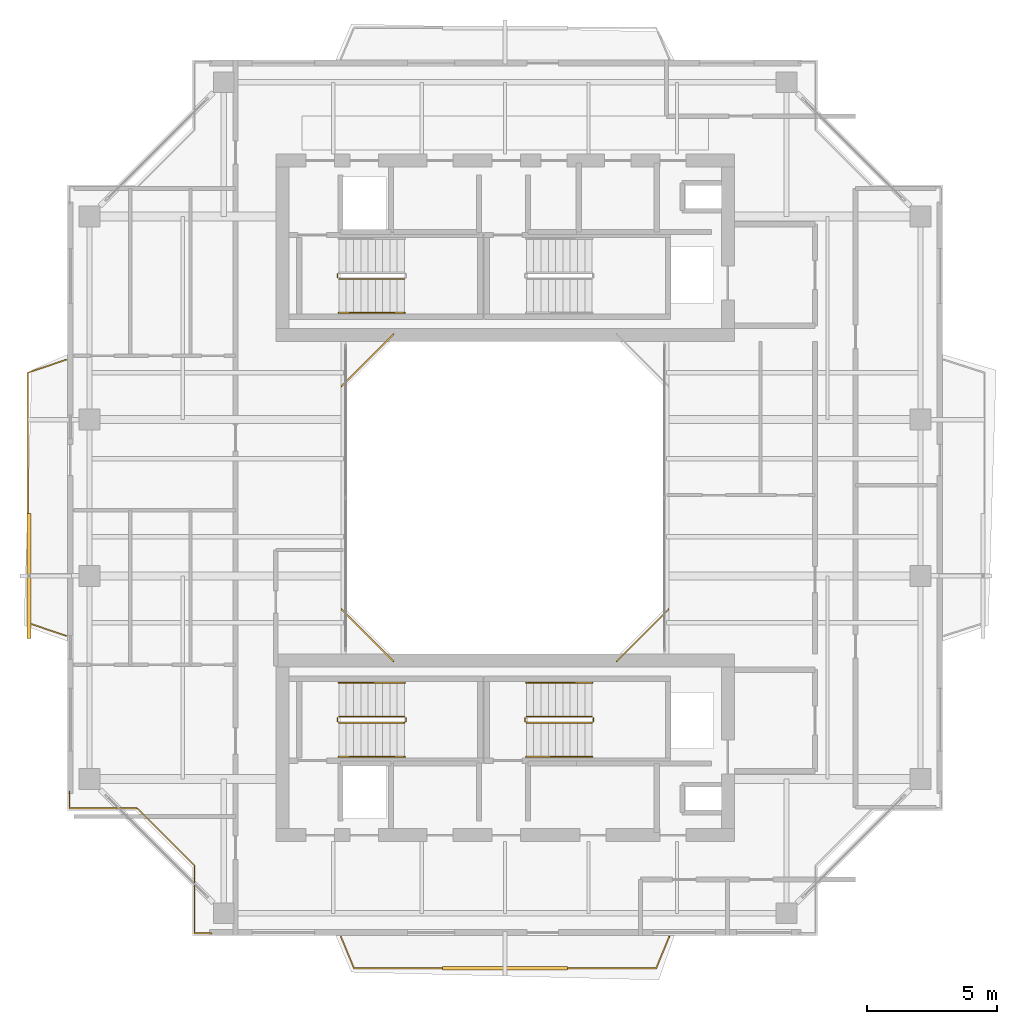
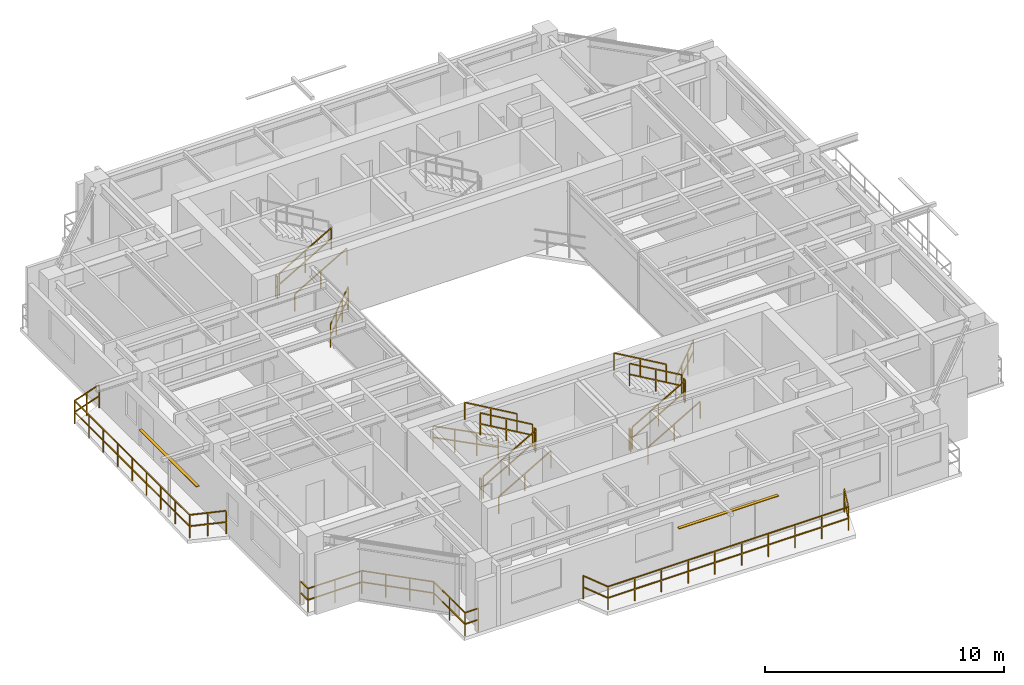
# One storey, part 14 of 16: 21 railings, 2 shading devices.
"""IFC4 building model written with IfcOpenShell, lengths in metres."""

from ifc_helpers import new_model, si_unit, direction, frame, origin, origin_2d, place, context, subcontext, project, spatial, rectangle, extrude, source, transform, mapped, material, material_profile, profile_set, type_object, element, save


model = new_model("IFC4")

# Units and contexts
model_context = context("Model", 3, precision=1e-05, world=origin(), true_north=direction((0.0, 1.0)))
body_context = subcontext(model_context, "Body", "Model", "MODEL_VIEW")
ifc_project = project(units=[si_unit("LENGTHUNIT", "METRE"), si_unit("AREAUNIT", "SQUARE_METRE"), si_unit("VOLUMEUNIT", "CUBIC_METRE"), si_unit("PLANEANGLEUNIT", "RADIAN"), si_unit("MASSUNIT", "GRAM", prefix="KILO"), si_unit("THERMODYNAMICTEMPERATUREUNIT", "KELVIN"), si_unit("POWERUNIT", "WATT")], contexts=[model_context])

# Site, building, storey
site_placement = place(None, origin())
site = spatial("IfcSite", under=ifc_project, at=site_placement, CompositionType="ELEMENT")
building_placement = place(site_placement, origin())
building = spatial("IfcBuilding", under=site, at=building_placement, Name="Qiaomeng Ring Towers", CompositionType="ELEMENT")
storey_placement = place(building_placement, frame((0.0, 0.0, 197.0)))
storey = spatial("IfcBuildingStorey", under=building, at=storey_placement, Name="L57", CompositionType="ELEMENT", Elevation=197.0)

# Railings
ifc_material_1 = material(Name="Low-E pale-green laminated safety glass", Category="glass")
railing_type_1 = type_object("IfcRailingType", Name="ARC-RL-BAL1", PredefinedType="BALUSTRADE", material=ifc_material_1)
railing_1_placement = place(storey_placement, frame((23.280029296875, 16.719970703125, 0.0)))
element("IfcRailing", 1, at=railing_1_placement, inside=storey, type_object=railing_type_1, Name="L57 Balustrade ARC-BAL-WELL1-L57-1", PredefinedType="BALUSTRADE", context=body_context, shape_type="SweptSolid", body=[
    extrude(rectangle(XDim=0.048095703125, YDim=0.048095703125, at=origin_2d()), frame((0.0, 0.0, 1.17578125), z_axis=(0.707106781187, 0.707106781187, 0.0), x_axis=(-0.707106781187, 0.707106781187, 0.0)), (0.0, 0.0, 1.0), 2.828369140625),
    extrude(rectangle(XDim=0.048095703125, YDim=0.048095703125, at=origin_2d()), frame((0.0, 0.0, 0.60009765625), z_axis=(0.707106781187, 0.707106781187, 0.0), x_axis=(-0.707106781187, 0.707106781187, 0.0)), (0.0, 0.0, 1.0), 2.828369140625),
    extrude(rectangle(XDim=0.0419921875, YDim=0.0419921875, at=origin_2d()), origin(), (0.0, 0.0, 1.0), 1.15185546875),
    extrude(rectangle(XDim=0.0419921875, YDim=0.0419921875, at=origin_2d()), frame((0.666748046875, 0.666748046875, 0.0)), (0.0, 0.0, 1.0), 1.15185546875),
    extrude(rectangle(XDim=0.0419921875, YDim=0.0419921875, at=origin_2d()), frame((1.333251953125, 1.333251953125, 0.0)), (0.0, 0.0, 1.0), 1.15185546875),
    extrude(rectangle(XDim=0.0419921875, YDim=0.0419921875, at=origin_2d()), frame((2.0, 2.0, 0.0)), (0.0, 0.0, 1.0), 1.15185546875),
])
railing_2_placement = place(storey_placement, frame((14.719970703125, 29.280029296875, 0.0)))
element("IfcRailing", 2, at=railing_2_placement, inside=storey, type_object=railing_type_1, Name="L57 Balustrade ARC-BAL-WELL1-L57-3", PredefinedType="BALUSTRADE", context=body_context, shape_type="SweptSolid", body=[
    extrude(rectangle(XDim=0.048095703125, YDim=0.048095703125, at=origin_2d()), frame((0.0, 0.0, 1.17578125), z_axis=(-0.707106781187, -0.707106781187, 0.0), x_axis=(0.707106781187, -0.707106781187, 0.0)), (0.0, 0.0, 1.0), 2.828369140625),
    extrude(rectangle(XDim=0.048095703125, YDim=0.048095703125, at=origin_2d()), frame((0.0, 0.0, 0.60009765625), z_axis=(-0.707106781187, -0.707106781187, 0.0), x_axis=(0.707106781187, -0.707106781187, 0.0)), (0.0, 0.0, 1.0), 2.828369140625),
    extrude(rectangle(XDim=0.0419921875, YDim=0.0419921875, at=origin_2d()), origin(), (0.0, 0.0, 1.0), 1.15185546875),
    extrude(rectangle(XDim=0.0419921875, YDim=0.0419921875, at=origin_2d()), frame((-0.666748046875, -0.666748046875, 0.0)), (0.0, 0.0, 1.0), 1.15185546875),
    extrude(rectangle(XDim=0.0419921875, YDim=0.0419921875, at=origin_2d()), frame((-1.333251953125, -1.333251953125, 0.0)), (0.0, 0.0, 1.0), 1.15185546875),
    extrude(rectangle(XDim=0.0419921875, YDim=0.0419921875, at=origin_2d()), frame((-2.0, -2.0, 0.0)), (0.0, 0.0, 1.0), 1.15185546875),
])
railing_3_placement = place(storey_placement, frame((12.719970703125, 18.719970703125, 0.0)))
element("IfcRailing", 3, at=railing_3_placement, inside=storey, type_object=railing_type_1, Name="L57 Balustrade ARC-BAL-WELL1-L57-4", PredefinedType="BALUSTRADE", context=body_context, shape_type="SweptSolid", body=[
    extrude(rectangle(XDim=0.048095703125, YDim=0.048095703125, at=origin_2d()), frame((0.0, 0.0, 1.17578125), z_axis=(0.707106781187, -0.707106781187, 0.0), x_axis=(0.707106781187, 0.707106781187, 0.0)), (0.0, 0.0, 1.0), 2.828369140625),
    extrude(rectangle(XDim=0.048095703125, YDim=0.048095703125, at=origin_2d()), frame((0.0, 0.0, 0.60009765625), z_axis=(0.707106781187, -0.707106781187, 0.0), x_axis=(0.707106781187, 0.707106781187, 0.0)), (0.0, 0.0, 1.0), 2.828369140625),
    extrude(rectangle(XDim=0.0419921875, YDim=0.0419921875, at=origin_2d()), origin(), (0.0, 0.0, 1.0), 1.15185546875),
    extrude(rectangle(XDim=0.0419921875, YDim=0.0419921875, at=origin_2d()), frame((0.666748046875, -0.666748046875, 0.0)), (0.0, 0.0, 1.0), 1.15185546875),
    extrude(rectangle(XDim=0.0419921875, YDim=0.0419921875, at=origin_2d()), frame((1.333251953125, -1.333251953125, 0.0)), (0.0, 0.0, 1.0), 1.15185546875),
    extrude(rectangle(XDim=0.0419921875, YDim=0.0419921875, at=origin_2d()), frame((2.0, -2.0, 0.0)), (0.0, 0.0, 1.0), 1.15185546875),
])
railing_4_placement = place(storey_placement, frame((2.280029296875, 11.72998046875, 0.0)))
element("IfcRailing", 4, at=railing_4_placement, inside=storey, type_object=railing_type_1, Name="L57 Balustrade ARC-BAL-NOTCH1-L57-SW", PredefinedType="BALUSTRADE", context=body_context, shape_type="SweptSolid", body=[
    extrude(rectangle(XDim=0.048095703125, YDim=0.048095703125, at=origin_2d()), frame((0.0, 0.0, 1.17578125), z_axis=(0.0, -1.0, 0.0), x_axis=(1.0, 0.0, 0.0)), (0.0, 0.0, 1.0), 0.64990234375),
    extrude(rectangle(XDim=0.048095703125, YDim=0.048095703125, at=origin_2d()), frame((0.0, 0.0, 0.60009765625), z_axis=(0.0, -1.0, 0.0), x_axis=(1.0, 0.0, 0.0)), (0.0, 0.0, 1.0), 0.64990234375),
    extrude(rectangle(XDim=0.048095703125, YDim=0.048095703125, at=origin_2d()), frame((0.0, -0.64990234375, 1.17578125), z_axis=(1.0, 0.0, 0.0), x_axis=(0.0, 1.0, 0.0)), (0.0, 0.0, 1.0), 2.599853515625),
    extrude(rectangle(XDim=0.048095703125, YDim=0.048095703125, at=origin_2d()), frame((0.0, -0.64990234375, 0.60009765625), z_axis=(1.0, 0.0, 0.0), x_axis=(0.0, 1.0, 0.0)), (0.0, 0.0, 1.0), 2.599853515625),
    extrude(rectangle(XDim=0.048095703125, YDim=0.048095703125, at=origin_2d()), frame((2.599853515625, -0.64990234375, 1.17578125), z_axis=(0.707106781187, -0.707106781187, 0.0), x_axis=(0.707106781187, 0.707106781187, 0.0)), (0.0, 0.0, 1.0), 3.111572265625),
    extrude(rectangle(XDim=0.048095703125, YDim=0.048095703125, at=origin_2d()), frame((2.599853515625, -0.64990234375, 0.60009765625), z_axis=(0.707106781187, -0.707106781187, 0.0), x_axis=(0.707106781187, 0.707106781187, 0.0)), (0.0, 0.0, 1.0), 3.111572265625),
    extrude(rectangle(XDim=0.048095703125, YDim=0.048095703125, at=origin_2d()), frame((4.800048828125, -2.85009765625, 1.17578125), z_axis=(0.0, -1.0, 0.0), x_axis=(1.0, 0.0, 0.0)), (0.0, 0.0, 1.0), 2.599853515625),
    extrude(rectangle(XDim=0.048095703125, YDim=0.048095703125, at=origin_2d()), frame((4.800048828125, -2.85009765625, 0.60009765625), z_axis=(0.0, -1.0, 0.0), x_axis=(1.0, 0.0, 0.0)), (0.0, 0.0, 1.0), 2.599853515625),
    extrude(rectangle(XDim=0.048095703125, YDim=0.048095703125, at=origin_2d()), frame((4.800048828125, -5.449951171875, 1.17578125), z_axis=(1.0, 0.0, 0.0), x_axis=(0.0, 1.0, 0.0)), (0.0, 0.0, 1.0), 0.64990234375),
    extrude(rectangle(XDim=0.048095703125, YDim=0.048095703125, at=origin_2d()), frame((4.800048828125, -5.449951171875, 0.60009765625), z_axis=(1.0, 0.0, 0.0), x_axis=(0.0, 1.0, 0.0)), (0.0, 0.0, 1.0), 0.64990234375),
    extrude(rectangle(XDim=0.0419921875, YDim=0.0419921875, at=origin_2d()), origin(), (0.0, 0.0, 1.0), 1.15185546875),
    extrude(rectangle(XDim=0.0419921875, YDim=0.0419921875, at=origin_2d()), frame((0.0, -0.64990234375, 0.0)), (0.0, 0.0, 1.0), 1.15185546875),
    extrude(rectangle(XDim=0.0419921875, YDim=0.0419921875, at=origin_2d()), frame((1.2998046875, -0.64990234375, 0.0)), (0.0, 0.0, 1.0), 1.15185546875),
    extrude(rectangle(XDim=0.0419921875, YDim=0.0419921875, at=origin_2d()), frame((2.599853515625, -0.64990234375, 0.0)), (0.0, 0.0, 1.0), 1.15185546875),
    extrude(rectangle(XDim=0.0419921875, YDim=0.0419921875, at=origin_2d()), frame((3.333251953125, -1.38330078125, 0.0)), (0.0, 0.0, 1.0), 1.15185546875),
    extrude(rectangle(XDim=0.0419921875, YDim=0.0419921875, at=origin_2d()), frame((4.066650390625, -2.11669921875, 0.0)), (0.0, 0.0, 1.0), 1.15185546875),
    extrude(rectangle(XDim=0.0419921875, YDim=0.0419921875, at=origin_2d()), frame((4.800048828125, -2.85009765625, 0.0)), (0.0, 0.0, 1.0), 1.15185546875),
    extrude(rectangle(XDim=0.0419921875, YDim=0.0419921875, at=origin_2d()), frame((4.800048828125, -4.14990234375, 0.0)), (0.0, 0.0, 1.0), 1.15185546875),
    extrude(rectangle(XDim=0.0419921875, YDim=0.0419921875, at=origin_2d()), frame((4.800048828125, -5.449951171875, 0.0)), (0.0, 0.0, 1.0), 1.15185546875),
    extrude(rectangle(XDim=0.0419921875, YDim=0.0419921875, at=origin_2d()), frame((5.449951171875, -5.449951171875, 0.0)), (0.0, 0.0, 1.0), 1.15185546875),
])
railing_5_placement = place(storey_placement, frame((12.699951171875, 6.14990234375, 0.0)))
element("IfcRailing", 5, at=railing_5_placement, inside=storey, type_object=railing_type_1, Name="L57 Balustrade ARC-BAL-L57-T1-S", PredefinedType="BALUSTRADE", context=body_context, shape_type="SweptSolid", body=[
    extrude(rectangle(XDim=0.048095703125, YDim=0.048095703125, at=origin_2d()), frame((0.0, 0.0, 1.17578125), z_axis=(0.381912525892, -0.924198475743, 0.0), x_axis=(0.924198475743, 0.381912525892, 0.0)), (0.0, 0.0, 1.0), 1.30908203125),
    extrude(rectangle(XDim=0.048095703125, YDim=0.048095703125, at=origin_2d()), frame((0.0, 0.0, 0.60009765625), z_axis=(0.381912525892, -0.924198475743, 0.0), x_axis=(0.924198475743, 0.381912525892, 0.0)), (0.0, 0.0, 1.0), 1.30908203125),
    extrude(rectangle(XDim=0.048095703125, YDim=0.048095703125, at=origin_2d()), frame((0.5, -1.2099609375, 1.17578125), z_axis=(1.0, 0.0, 0.0), x_axis=(0.0, 1.0, 0.0)), (0.0, 0.0, 1.0), 11.60009765625),
    extrude(rectangle(XDim=0.048095703125, YDim=0.048095703125, at=origin_2d()), frame((0.5, -1.2099609375, 0.60009765625), z_axis=(1.0, 0.0, 0.0), x_axis=(0.0, 1.0, 0.0)), (0.0, 0.0, 1.0), 11.60009765625),
    extrude(rectangle(XDim=0.048095703125, YDim=0.048095703125, at=origin_2d()), frame((12.10009765625, -1.2099609375, 1.17578125), z_axis=(0.381912525892, 0.924198475743, 0.0), x_axis=(-0.924198475743, 0.381912525892, 0.0)), (0.0, 0.0, 1.0), 1.30908203125),
    extrude(rectangle(XDim=0.048095703125, YDim=0.048095703125, at=origin_2d()), frame((12.10009765625, -1.2099609375, 0.60009765625), z_axis=(0.381912525892, 0.924198475743, 0.0), x_axis=(-0.924198475743, 0.381912525892, 0.0)), (0.0, 0.0, 1.0), 1.30908203125),
    extrude(rectangle(XDim=0.0419921875, YDim=0.0419921875, at=origin_2d()), origin(), (0.0, 0.0, 1.0), 1.15185546875),
    extrude(rectangle(XDim=0.0419921875, YDim=0.0419921875, at=origin_2d()), frame((0.5, -1.2099609375, 0.0)), (0.0, 0.0, 1.0), 1.15185546875),
    extrude(rectangle(XDim=0.0419921875, YDim=0.0419921875, at=origin_2d()), frame((1.788818359375, -1.2099609375, 0.0)), (0.0, 0.0, 1.0), 1.15185546875),
    extrude(rectangle(XDim=0.0419921875, YDim=0.0419921875, at=origin_2d()), frame((3.077880859375, -1.2099609375, 0.0)), (0.0, 0.0, 1.0), 1.15185546875),
    extrude(rectangle(XDim=0.0419921875, YDim=0.0419921875, at=origin_2d()), frame((4.36669921875, -1.2099609375, 0.0)), (0.0, 0.0, 1.0), 1.15185546875),
    extrude(rectangle(XDim=0.0419921875, YDim=0.0419921875, at=origin_2d()), frame((5.655517578125, -1.2099609375, 0.0)), (0.0, 0.0, 1.0), 1.15185546875),
    extrude(rectangle(XDim=0.0419921875, YDim=0.0419921875, at=origin_2d()), frame((6.944580078125, -1.2099609375, 0.0)), (0.0, 0.0, 1.0), 1.15185546875),
    extrude(rectangle(XDim=0.0419921875, YDim=0.0419921875, at=origin_2d()), frame((8.2333984375, -1.2099609375, 0.0)), (0.0, 0.0, 1.0), 1.15185546875),
    extrude(rectangle(XDim=0.0419921875, YDim=0.0419921875, at=origin_2d()), frame((9.522216796875, -1.2099609375, 0.0)), (0.0, 0.0, 1.0), 1.15185546875),
    extrude(rectangle(XDim=0.0419921875, YDim=0.0419921875, at=origin_2d()), frame((10.811279296875, -1.2099609375, 0.0)), (0.0, 0.0, 1.0), 1.15185546875),
    extrude(rectangle(XDim=0.0419921875, YDim=0.0419921875, at=origin_2d()), frame((12.10009765625, -1.2099609375, 0.0)), (0.0, 0.0, 1.0), 1.15185546875),
    extrude(rectangle(XDim=0.0419921875, YDim=0.0419921875, at=origin_2d()), frame((12.60009765625, 0.0, 0.0)), (0.0, 0.0, 1.0), 1.15185546875),
])
railing_6_placement = place(storey_placement, frame((2.14990234375, 17.699951171875, 0.0)))
element("IfcRailing", 6, at=railing_6_placement, inside=storey, type_object=railing_type_1, Name="L57 Balustrade ARC-BAL-L57-T1-W", PredefinedType="BALUSTRADE", context=body_context, shape_type="SweptSolid", body=[
    extrude(rectangle(XDim=0.048095703125, YDim=0.048095703125, at=origin_2d()), frame((0.0, 0.0, 1.17578125), z_axis=(-0.946731524739, 0.322023943309, 0.0), x_axis=(-0.322023943309, -0.946731524739, 0.0)), (0.0, 0.0, 1.0), 1.552734375),
    extrude(rectangle(XDim=0.048095703125, YDim=0.048095703125, at=origin_2d()), frame((0.0, 0.0, 0.60009765625), z_axis=(-0.946731524739, 0.322023943309, 0.0), x_axis=(-0.322023943309, -0.946731524739, 0.0)), (0.0, 0.0, 1.0), 1.552734375),
    extrude(rectangle(XDim=0.048095703125, YDim=0.048095703125, at=origin_2d()), frame((-1.469970703125, 0.5, 1.17578125), z_axis=(0.0, 1.0, 0.0), x_axis=(-1.0, 0.0, 0.0)), (0.0, 0.0, 1.0), 9.60009765625),
    extrude(rectangle(XDim=0.048095703125, YDim=0.048095703125, at=origin_2d()), frame((-1.469970703125, 0.5, 0.60009765625), z_axis=(0.0, 1.0, 0.0), x_axis=(-1.0, 0.0, 0.0)), (0.0, 0.0, 1.0), 9.60009765625),
    extrude(rectangle(XDim=0.048095703125, YDim=0.048095703125, at=origin_2d()), frame((-1.469970703125, 10.10009765625, 1.17578125), z_axis=(0.946731524739, 0.322023943309, 0.0), x_axis=(-0.322023943309, 0.946731524739, 0.0)), (0.0, 0.0, 1.0), 1.552734375),
    extrude(rectangle(XDim=0.048095703125, YDim=0.048095703125, at=origin_2d()), frame((-1.469970703125, 10.10009765625, 0.60009765625), z_axis=(0.946731524739, 0.322023943309, 0.0), x_axis=(-0.322023943309, 0.946731524739, 0.0)), (0.0, 0.0, 1.0), 1.552734375),
    extrude(rectangle(XDim=0.0419921875, YDim=0.0419921875, at=origin_2d()), origin(), (0.0, 0.0, 1.0), 1.15185546875),
    extrude(rectangle(XDim=0.0419921875, YDim=0.0419921875, at=origin_2d()), frame((-0.73486328125, 0.25, 0.0)), (0.0, 0.0, 1.0), 1.15185546875),
    extrude(rectangle(XDim=0.0419921875, YDim=0.0419921875, at=origin_2d()), frame((-1.469970703125, 0.5, 0.0)), (0.0, 0.0, 1.0), 1.15185546875),
    extrude(rectangle(XDim=0.0419921875, YDim=0.0419921875, at=origin_2d()), frame((-1.469970703125, 1.699951171875, 0.0)), (0.0, 0.0, 1.0), 1.15185546875),
    extrude(rectangle(XDim=0.0419921875, YDim=0.0419921875, at=origin_2d()), frame((-1.469970703125, 2.89990234375, 0.0)), (0.0, 0.0, 1.0), 1.15185546875),
    extrude(rectangle(XDim=0.0419921875, YDim=0.0419921875, at=origin_2d()), frame((-1.469970703125, 4.10009765625, 0.0)), (0.0, 0.0, 1.0), 1.15185546875),
    extrude(rectangle(XDim=0.0419921875, YDim=0.0419921875, at=origin_2d()), frame((-1.469970703125, 5.300048828125, 0.0)), (0.0, 0.0, 1.0), 1.15185546875),
    extrude(rectangle(XDim=0.0419921875, YDim=0.0419921875, at=origin_2d()), frame((-1.469970703125, 6.5, 0.0)), (0.0, 0.0, 1.0), 1.15185546875),
    extrude(rectangle(XDim=0.0419921875, YDim=0.0419921875, at=origin_2d()), frame((-1.469970703125, 7.7001953125, 0.0)), (0.0, 0.0, 1.0), 1.15185546875),
    extrude(rectangle(XDim=0.0419921875, YDim=0.0419921875, at=origin_2d()), frame((-1.469970703125, 8.900146484375, 0.0)), (0.0, 0.0, 1.0), 1.15185546875),
    extrude(rectangle(XDim=0.0419921875, YDim=0.0419921875, at=origin_2d()), frame((-1.469970703125, 10.10009765625, 0.0)), (0.0, 0.0, 1.0), 1.15185546875),
    extrude(rectangle(XDim=0.0419921875, YDim=0.0419921875, at=origin_2d()), frame((-0.73486328125, 10.35009765625, 0.0)), (0.0, 0.0, 1.0), 1.15185546875),
    extrude(rectangle(XDim=0.0419921875, YDim=0.0419921875, at=origin_2d()), frame((0.0, 10.60009765625, 0.0)), (0.0, 0.0, 1.0), 1.15185546875),
])
ifc_material_2 = material(Name="Galvanised steel", Category="steel")
railing_type_2 = type_object("IfcRailingType", Name="ARC-RL-GUARD", PredefinedType="GUARDRAIL", material=ifc_material_2)
railing_7_placement = place(storey_placement, frame((12.6201171875, 31.39990234375, 0.16259765625)))
element("IfcRailing", 7, at=railing_7_placement, inside=storey, type_object=railing_type_2, Name="L57 ST1 stair guard 1", PredefinedType="GUARDRAIL", context=body_context, shape_type="SweptSolid", body=[
    extrude(rectangle(XDim=0.048095703125, YDim=0.048095703125, at=origin_2d()), frame((0.0, 0.0, 1.1259765625), z_axis=(0.864892226395, 0.0, 0.501957604506), x_axis=(0.0, 1.0, 0.0)), (0.0, 0.0, 1.0), 2.913330078125),
    extrude(rectangle(XDim=0.048095703125, YDim=0.048095703125, at=origin_2d()), frame((0.0, 0.0, 0.574951171875), z_axis=(0.864892226395, 0.0, 0.501957604506), x_axis=(0.0, 1.0, 0.0)), (0.0, 0.0, 1.0), 2.913330078125),
    extrude(rectangle(XDim=0.0419921875, YDim=0.0419921875, at=origin_2d()), origin(), (0.0, 0.0, 1.0), 1.101806640625),
    extrude(rectangle(XDim=0.0419921875, YDim=0.0419921875, at=origin_2d()), frame((1.259765625, 0.0, 0.731201171875)), (0.0, 0.0, 1.0), 1.101806640625),
    extrude(rectangle(XDim=0.0419921875, YDim=0.0419921875, at=origin_2d()), frame((2.519775390625, 0.0, 1.46240234375)), (0.0, 0.0, 1.0), 1.101806640625),
])
railing_8_placement = place(storey_placement, frame((12.570068359375, 31.449951171875, 0.0)))
element("IfcRailing", 8, at=railing_8_placement, inside=storey, type_object=railing_type_2, Name="L57 ST1 stair guard 4", PredefinedType="GUARDRAIL", context=body_context, shape_type="SweptSolid", body=[
    extrude(rectangle(XDim=0.048095703125, YDim=0.048095703125, at=origin_2d()), frame((0.0, 0.0, 1.1259765625), z_axis=(0.0, 1.0, 0.0), x_axis=(-1.0, 0.0, 0.0)), (0.0, 0.0, 1.0), 0.14013671875),
    extrude(rectangle(XDim=0.048095703125, YDim=0.048095703125, at=origin_2d()), frame((0.0, 0.0, 0.574951171875), z_axis=(0.0, 1.0, 0.0), x_axis=(-1.0, 0.0, 0.0)), (0.0, 0.0, 1.0), 0.14013671875),
    extrude(rectangle(XDim=0.0419921875, YDim=0.0419921875, at=origin_2d()), origin(), (0.0, 0.0, 1.0), 1.101806640625),
    extrude(rectangle(XDim=0.0419921875, YDim=0.0419921875, at=origin_2d()), frame((0.0, 0.14013671875, 0.0)), (0.0, 0.0, 1.0), 1.101806640625),
])
railing_9_placement = place(storey_placement, frame((12.6201171875, 14.360107421875, 0.16259765625)))
element("IfcRailing", 9, at=railing_9_placement, inside=storey, type_object=railing_type_2, Name="L57 ST3 stair guard 1", PredefinedType="GUARDRAIL", context=body_context, shape_type="SweptSolid", body=[
    extrude(rectangle(XDim=0.048095703125, YDim=0.048095703125, at=origin_2d()), frame((0.0, 0.0, 1.1259765625), z_axis=(0.864892226395, 0.0, 0.501957604506), x_axis=(0.0, 1.0, 0.0)), (0.0, 0.0, 1.0), 2.913330078125),
    extrude(rectangle(XDim=0.048095703125, YDim=0.048095703125, at=origin_2d()), frame((0.0, 0.0, 0.574951171875), z_axis=(0.864892226395, 0.0, 0.501957604506), x_axis=(0.0, 1.0, 0.0)), (0.0, 0.0, 1.0), 2.913330078125),
    extrude(rectangle(XDim=0.0419921875, YDim=0.0419921875, at=origin_2d()), origin(), (0.0, 0.0, 1.0), 1.101806640625),
    extrude(rectangle(XDim=0.0419921875, YDim=0.0419921875, at=origin_2d()), frame((1.259765625, 0.0, 0.731201171875)), (0.0, 0.0, 1.0), 1.101806640625),
    extrude(rectangle(XDim=0.0419921875, YDim=0.0419921875, at=origin_2d()), frame((2.519775390625, 0.0, 1.46240234375)), (0.0, 0.0, 1.0), 1.101806640625),
])
railing_10_placement = place(storey_placement, frame((15.18994140625, 14.409912109375, 1.625)))
element("IfcRailing", 10, at=railing_10_placement, inside=storey, type_object=railing_type_2, Name="L57 ST3 stair guard 2", PredefinedType="GUARDRAIL", context=body_context, shape_type="SweptSolid", body=[
    extrude(rectangle(XDim=0.048095703125, YDim=0.048095703125, at=origin_2d()), frame((0.0, 0.0, 1.1259765625), z_axis=(0.0, 1.0, 0.0), x_axis=(-1.0, 0.0, 0.0)), (0.0, 0.0, 1.0), 0.14013671875),
    extrude(rectangle(XDim=0.048095703125, YDim=0.048095703125, at=origin_2d()), frame((0.0, 0.0, 0.574951171875), z_axis=(0.0, 1.0, 0.0), x_axis=(-1.0, 0.0, 0.0)), (0.0, 0.0, 1.0), 0.14013671875),
    extrude(rectangle(XDim=0.0419921875, YDim=0.0419921875, at=origin_2d()), origin(), (0.0, 0.0, 1.0), 1.101806640625),
    extrude(rectangle(XDim=0.0419921875, YDim=0.0419921875, at=origin_2d()), frame((0.0, 0.14013671875, 0.0)), (0.0, 0.0, 1.0), 1.101806640625),
])
railing_11_placement = place(storey_placement, frame((15.139892578125, 14.60009765625, 1.78759765625)))
element("IfcRailing", 11, at=railing_11_placement, inside=storey, type_object=railing_type_2, Name="L57 ST3 stair guard 3", PredefinedType="GUARDRAIL", context=body_context, shape_type="SweptSolid", body=[
    extrude(rectangle(XDim=0.048095703125, YDim=0.048095703125, at=origin_2d()), frame((0.0, 0.0, 1.1259765625), z_axis=(-0.864892226395, 0.0, 0.501957604506), x_axis=(0.0, -1.0, 0.0)), (0.0, 0.0, 1.0), 2.913330078125),
    extrude(rectangle(XDim=0.048095703125, YDim=0.048095703125, at=origin_2d()), frame((0.0, 0.0, 0.574951171875), z_axis=(-0.864892226395, 0.0, 0.501957604506), x_axis=(0.0, -1.0, 0.0)), (0.0, 0.0, 1.0), 2.913330078125),
    extrude(rectangle(XDim=0.0419921875, YDim=0.0419921875, at=origin_2d()), origin(), (0.0, 0.0, 1.0), 1.101806640625),
    extrude(rectangle(XDim=0.0419921875, YDim=0.0419921875, at=origin_2d()), frame((-1.259765625, 0.0, 0.731201171875)), (0.0, 0.0, 1.0), 1.101806640625),
    extrude(rectangle(XDim=0.0419921875, YDim=0.0419921875, at=origin_2d()), frame((-2.519775390625, 0.0, 1.46240234375)), (0.0, 0.0, 1.0), 1.101806640625),
])
railing_12_placement = place(storey_placement, frame((12.570068359375, 14.409912109375, 0.0)))
element("IfcRailing", 12, at=railing_12_placement, inside=storey, type_object=railing_type_2, Name="L57 ST3 stair guard 4", PredefinedType="GUARDRAIL", context=body_context, shape_type="SweptSolid", body=[
    extrude(rectangle(XDim=0.048095703125, YDim=0.048095703125, at=origin_2d()), frame((0.0, 0.0, 1.1259765625), z_axis=(0.0, 1.0, 0.0), x_axis=(-1.0, 0.0, 0.0)), (0.0, 0.0, 1.0), 0.14013671875),
    extrude(rectangle(XDim=0.048095703125, YDim=0.048095703125, at=origin_2d()), frame((0.0, 0.0, 0.574951171875), z_axis=(0.0, 1.0, 0.0), x_axis=(-1.0, 0.0, 0.0)), (0.0, 0.0, 1.0), 0.14013671875),
    extrude(rectangle(XDim=0.0419921875, YDim=0.0419921875, at=origin_2d()), origin(), (0.0, 0.0, 1.0), 1.101806640625),
    extrude(rectangle(XDim=0.0419921875, YDim=0.0419921875, at=origin_2d()), frame((0.0, 0.14013671875, 0.0)), (0.0, 0.0, 1.0), 1.101806640625),
])
railing_13_placement = place(storey_placement, frame((19.820068359375, 14.360107421875, 0.16259765625)))
element("IfcRailing", 13, at=railing_13_placement, inside=storey, type_object=railing_type_2, Name="L57 ST4 stair guard 1", PredefinedType="GUARDRAIL", context=body_context, shape_type="SweptSolid", body=[
    extrude(rectangle(XDim=0.048095703125, YDim=0.048095703125, at=origin_2d()), frame((0.0, 0.0, 1.1259765625), z_axis=(0.864913338283, 0.0, 0.50192122615), x_axis=(0.0, 1.0, 0.0)), (0.0, 0.0, 1.0), 2.91357421875),
    extrude(rectangle(XDim=0.048095703125, YDim=0.048095703125, at=origin_2d()), frame((0.0, 0.0, 0.574951171875), z_axis=(0.864913338283, 0.0, 0.50192122615), x_axis=(0.0, 1.0, 0.0)), (0.0, 0.0, 1.0), 2.91357421875),
    extrude(rectangle(XDim=0.0419921875, YDim=0.0419921875, at=origin_2d()), origin(), (0.0, 0.0, 1.0), 1.101806640625),
    extrude(rectangle(XDim=0.0419921875, YDim=0.0419921875, at=origin_2d()), frame((1.260009765625, 0.0, 0.731201171875)), (0.0, 0.0, 1.0), 1.101806640625),
    extrude(rectangle(XDim=0.0419921875, YDim=0.0419921875, at=origin_2d()), frame((2.52001953125, 0.0, 1.46240234375)), (0.0, 0.0, 1.0), 1.101806640625),
])
railing_14_placement = place(storey_placement, frame((22.389892578125, 14.409912109375, 1.625)))
element("IfcRailing", 14, at=railing_14_placement, inside=storey, type_object=railing_type_2, Name="L57 ST4 stair guard 2", PredefinedType="GUARDRAIL", context=body_context, shape_type="SweptSolid", body=[
    extrude(rectangle(XDim=0.048095703125, YDim=0.048095703125, at=origin_2d()), frame((0.0, 0.0, 1.1259765625), z_axis=(0.0, 1.0, 0.0), x_axis=(-1.0, 0.0, 0.0)), (0.0, 0.0, 1.0), 0.14013671875),
    extrude(rectangle(XDim=0.048095703125, YDim=0.048095703125, at=origin_2d()), frame((0.0, 0.0, 0.574951171875), z_axis=(0.0, 1.0, 0.0), x_axis=(-1.0, 0.0, 0.0)), (0.0, 0.0, 1.0), 0.14013671875),
    extrude(rectangle(XDim=0.0419921875, YDim=0.0419921875, at=origin_2d()), origin(), (0.0, 0.0, 1.0), 1.101806640625),
    extrude(rectangle(XDim=0.0419921875, YDim=0.0419921875, at=origin_2d()), frame((0.0, 0.14013671875, 0.0)), (0.0, 0.0, 1.0), 1.101806640625),
])
railing_15_placement = place(storey_placement, frame((22.340087890625, 14.60009765625, 1.78759765625)))
element("IfcRailing", 15, at=railing_15_placement, inside=storey, type_object=railing_type_2, Name="L57 ST4 stair guard 3", PredefinedType="GUARDRAIL", context=body_context, shape_type="SweptSolid", body=[
    extrude(rectangle(XDim=0.048095703125, YDim=0.048095703125, at=origin_2d()), frame((0.0, 0.0, 1.1259765625), z_axis=(-0.864913338283, 0.0, 0.50192122615), x_axis=(0.0, -1.0, 0.0)), (0.0, 0.0, 1.0), 2.91357421875),
    extrude(rectangle(XDim=0.048095703125, YDim=0.048095703125, at=origin_2d()), frame((0.0, 0.0, 0.574951171875), z_axis=(-0.864913338283, 0.0, 0.50192122615), x_axis=(0.0, -1.0, 0.0)), (0.0, 0.0, 1.0), 2.91357421875),
    extrude(rectangle(XDim=0.0419921875, YDim=0.0419921875, at=origin_2d()), origin(), (0.0, 0.0, 1.0), 1.101806640625),
    extrude(rectangle(XDim=0.0419921875, YDim=0.0419921875, at=origin_2d()), frame((-1.260009765625, 0.0, 0.731201171875)), (0.0, 0.0, 1.0), 1.101806640625),
    extrude(rectangle(XDim=0.0419921875, YDim=0.0419921875, at=origin_2d()), frame((-2.52001953125, 0.0, 1.46240234375)), (0.0, 0.0, 1.0), 1.101806640625),
])
railing_16_placement = place(storey_placement, frame((19.77001953125, 14.409912109375, 0.0)))
element("IfcRailing", 16, at=railing_16_placement, inside=storey, type_object=railing_type_2, Name="L57 ST4 stair guard 4", PredefinedType="GUARDRAIL", context=body_context, shape_type="SweptSolid", body=[
    extrude(rectangle(XDim=0.048095703125, YDim=0.048095703125, at=origin_2d()), frame((0.0, 0.0, 1.1259765625), z_axis=(0.0, 1.0, 0.0), x_axis=(-1.0, 0.0, 0.0)), (0.0, 0.0, 1.0), 0.14013671875),
    extrude(rectangle(XDim=0.048095703125, YDim=0.048095703125, at=origin_2d()), frame((0.0, 0.0, 0.574951171875), z_axis=(0.0, 1.0, 0.0), x_axis=(-1.0, 0.0, 0.0)), (0.0, 0.0, 1.0), 0.14013671875),
    extrude(rectangle(XDim=0.0419921875, YDim=0.0419921875, at=origin_2d()), origin(), (0.0, 0.0, 1.0), 1.101806640625),
    extrude(rectangle(XDim=0.0419921875, YDim=0.0419921875, at=origin_2d()), frame((0.0, 0.14013671875, 0.0)), (0.0, 0.0, 1.0), 1.101806640625),
])
ifc_material_3 = material(Name="Stainless steel 316", Category="steel")
railing_type_3 = type_object("IfcRailingType", Name="ARC-RL-HAND", PredefinedType="HANDRAIL", material=ifc_material_3)
for number, where, name in (
    (17, (12.6201171875, 30.10009765625, 0.16259765625), "L57 ST1 stair handrail 1"),
    (18, (12.6201171875, 13.06005859375, 0.16259765625), "L57 ST3 stair handrail 1"),
):
    element("IfcRailing", number, at=place(storey_placement, frame(where)), inside=storey, type_object=railing_type_3, Name=name, PredefinedType="HANDRAIL", context=body_context, shape_type="SweptSolid", body=[
        extrude(rectangle(XDim=0.048095703125, YDim=0.048095703125, at=origin_2d()), frame((0.0, 0.0, 0.8759765625), z_axis=(0.864892226395, 0.0, 0.501957604506), x_axis=(0.0, 1.0, 0.0)), (0.0, 0.0, 1.0), 2.913330078125),
        extrude(rectangle(XDim=0.0419921875, YDim=0.0419921875, at=origin_2d()), origin(), (0.0, 0.0, 1.0), 0.851806640625),
        extrude(rectangle(XDim=0.0419921875, YDim=0.0419921875, at=origin_2d()), frame((1.259765625, 0.0, 0.731201171875)), (0.0, 0.0, 1.0), 0.851806640625),
        extrude(rectangle(XDim=0.0419921875, YDim=0.0419921875, at=origin_2d()), frame((2.519775390625, 0.0, 1.46240234375)), (0.0, 0.0, 1.0), 0.851806640625),
    ])
railing_17_placement = place(storey_placement, frame((15.139892578125, 15.89990234375, 1.78759765625)))
element("IfcRailing", 19, at=railing_17_placement, inside=storey, type_object=railing_type_3, Name="L57 ST3 stair handrail 2", PredefinedType="HANDRAIL", context=body_context, shape_type="SweptSolid", body=[
    extrude(rectangle(XDim=0.048095703125, YDim=0.048095703125, at=origin_2d()), frame((0.0, 0.0, 0.8759765625), z_axis=(-0.864892226395, 0.0, 0.501957604506), x_axis=(0.0, -1.0, 0.0)), (0.0, 0.0, 1.0), 2.913330078125),
    extrude(rectangle(XDim=0.0419921875, YDim=0.0419921875, at=origin_2d()), origin(), (0.0, 0.0, 1.0), 0.851806640625),
    extrude(rectangle(XDim=0.0419921875, YDim=0.0419921875, at=origin_2d()), frame((-1.259765625, 0.0, 0.731201171875)), (0.0, 0.0, 1.0), 0.851806640625),
    extrude(rectangle(XDim=0.0419921875, YDim=0.0419921875, at=origin_2d()), frame((-2.519775390625, 0.0, 1.46240234375)), (0.0, 0.0, 1.0), 0.851806640625),
])
railing_18_placement = place(storey_placement, frame((19.820068359375, 13.06005859375, 0.16259765625)))
element("IfcRailing", 20, at=railing_18_placement, inside=storey, type_object=railing_type_3, Name="L57 ST4 stair handrail 1", PredefinedType="HANDRAIL", context=body_context, shape_type="SweptSolid", body=[
    extrude(rectangle(XDim=0.048095703125, YDim=0.048095703125, at=origin_2d()), frame((0.0, 0.0, 0.8759765625), z_axis=(0.864913338283, 0.0, 0.50192122615), x_axis=(0.0, 1.0, 0.0)), (0.0, 0.0, 1.0), 2.91357421875),
    extrude(rectangle(XDim=0.0419921875, YDim=0.0419921875, at=origin_2d()), origin(), (0.0, 0.0, 1.0), 0.851806640625),
    extrude(rectangle(XDim=0.0419921875, YDim=0.0419921875, at=origin_2d()), frame((1.260009765625, 0.0, 0.731201171875)), (0.0, 0.0, 1.0), 0.851806640625),
    extrude(rectangle(XDim=0.0419921875, YDim=0.0419921875, at=origin_2d()), frame((2.52001953125, 0.0, 1.46240234375)), (0.0, 0.0, 1.0), 0.851806640625),
])
railing_19_placement = place(storey_placement, frame((22.340087890625, 15.89990234375, 1.78759765625)))
element("IfcRailing", 21, at=railing_19_placement, inside=storey, type_object=railing_type_3, Name="L57 ST4 stair handrail 2", PredefinedType="HANDRAIL", context=body_context, shape_type="SweptSolid", body=[
    extrude(rectangle(XDim=0.048095703125, YDim=0.048095703125, at=origin_2d()), frame((0.0, 0.0, 0.8759765625), z_axis=(-0.864913338283, 0.0, 0.50192122615), x_axis=(0.0, -1.0, 0.0)), (0.0, 0.0, 1.0), 2.91357421875),
    extrude(rectangle(XDim=0.0419921875, YDim=0.0419921875, at=origin_2d()), origin(), (0.0, 0.0, 1.0), 0.851806640625),
    extrude(rectangle(XDim=0.0419921875, YDim=0.0419921875, at=origin_2d()), frame((-1.260009765625, 0.0, 0.731201171875)), (0.0, 0.0, 1.0), 0.851806640625),
    extrude(rectangle(XDim=0.0419921875, YDim=0.0419921875, at=origin_2d()), frame((-2.52001953125, 0.0, 1.46240234375)), (0.0, 0.0, 1.0), 0.851806640625),
])

# Shading devices
ifc_material_4 = material(Name="Fluorocarbon dark-grey aluminium", Category="aluminium")
ifc_material_profile = material_profile(ifc_material_4, rectangle(XDim=0.14990234375, YDim=0.034912109375, at=origin_2d()), Name="LV BLADE 150x35")
ifc_profile_set = profile_set([ifc_material_profile], Name="Fluorocarbon dark-grey aluminium")
shading_device_type = type_object("IfcShadingDeviceType", Name="ARC-SHD-SUN", PredefinedType="AWNING", material=ifc_profile_set)
shared_shape = source(origin(), body_context, "Body", "SweptSolid", [
    extrude(rectangle(XDim=0.14990234375, YDim=0.034912109375, at=origin_2d()), origin(), (0.0, 0.0, 1.0), 4.7998046875),
])
for number, where, z_axis, x_axis, name in (
    (22, (16.60009765625, 4.93994140625, 2.969970703125), (1.0, 0.0, 0.0), (0.0, 1.0, 0.0), "L57 Ventilated Outer-Skin Sunshade S"),
    (23, (0.72998046875, 17.60009765625, 2.969970703125), (0.0, 1.0, 0.0), (-1.0, 0.0, 0.0), "L57 Ventilated Outer-Skin Sunshade W"),
):
    element("IfcShadingDevice", number, at=place(storey_placement, frame(where, z_axis=z_axis, x_axis=x_axis)), inside=storey, type_object=shading_device_type, Name=name, PredefinedType="AWNING", context=body_context, shape_type="MappedRepresentation", body=[
        mapped(shared_shape, transform((0.0, 0.0, 0.0), x_axis=(1.0, 0.0, 0.0), y_axis=(0.0, 1.0, 0.0), z_axis=(0.0, 0.0, 1.0), scale=1.0)),
    ])

save(model, "model.ifc")
